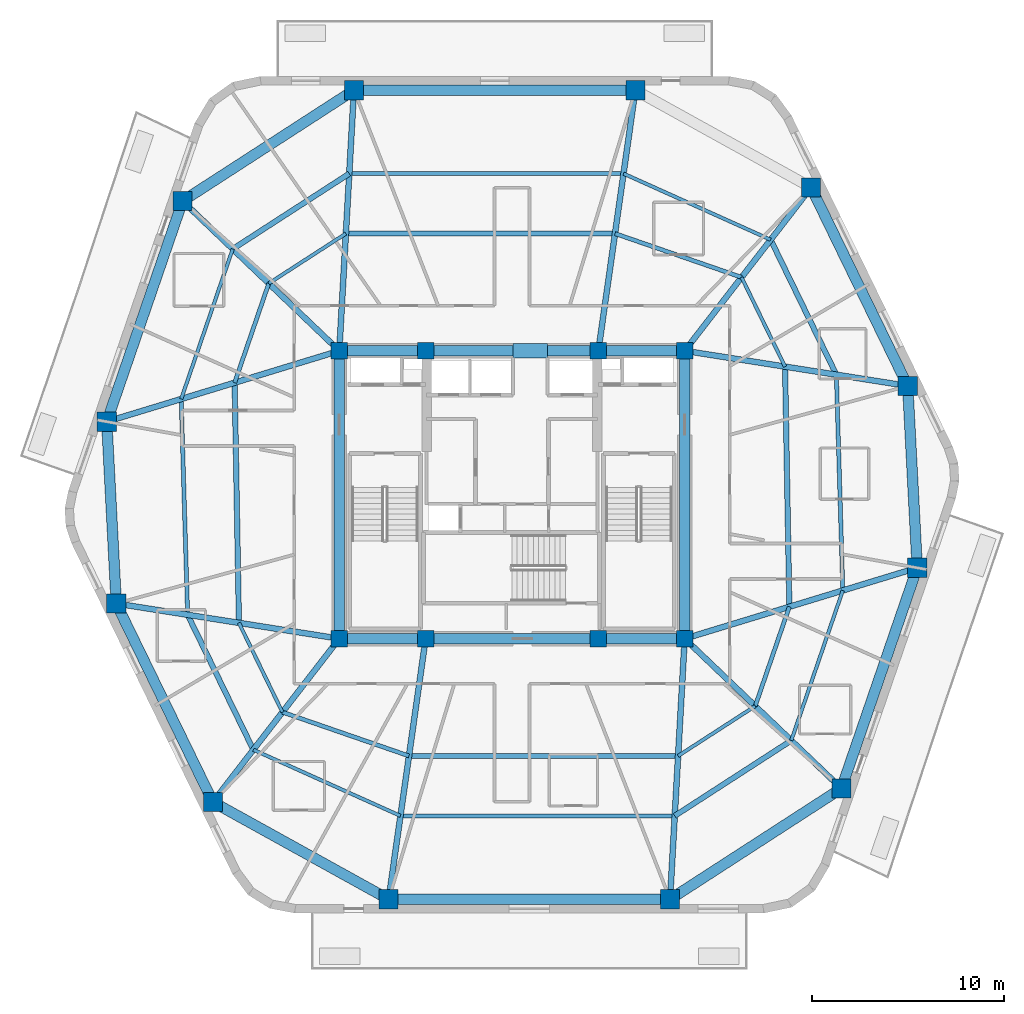
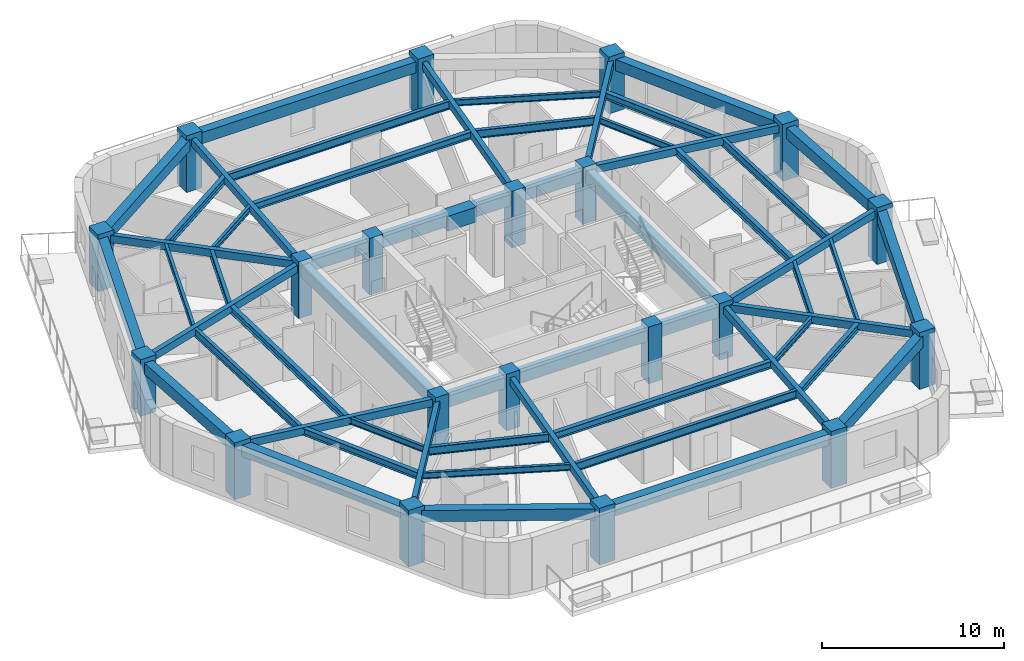
# One storey, part 1 of 9: 56 beams, 20 columns.
"""IFC4 building model written with IfcOpenShell, lengths in metres."""

from ifc_helpers import new_model, si_unit, direction, frame, origin, origin_2d, place, context, subcontext, project, spatial, rectangle, i_section, extrude, material, material_profile, profile_set, type_object, element, save


model = new_model("IFC4")

# Units and contexts
model_context = context("Model", 3, precision=1e-05, world=origin(), true_north=direction((0.0, 1.0)))
body_context = subcontext(model_context, "Body", "Model", "MODEL_VIEW")
ifc_project = project(units=[si_unit("LENGTHUNIT", "METRE"), si_unit("AREAUNIT", "SQUARE_METRE"), si_unit("VOLUMEUNIT", "CUBIC_METRE"), si_unit("PLANEANGLEUNIT", "RADIAN"), si_unit("MASSUNIT", "GRAM", prefix="KILO")], contexts=[model_context])

# Site, building, storey
site_placement = place(None, origin())
site = spatial("IfcSite", under=ifc_project, at=site_placement, CompositionType="ELEMENT")
building_placement = place(site_placement, origin())
building = spatial("IfcBuilding", under=site, at=building_placement, Name="Kilnhurst Terrace Hotel", CompositionType="ELEMENT")
storey_placement = place(building_placement, frame((0.0, 0.0, 221.699951171875)))
storey = spatial("IfcBuildingStorey", under=building, at=storey_placement, Name="L55", CompositionType="ELEMENT", Elevation=221.699951171875)

# Columns
ifc_material_1 = material(Name="Concrete C60/75", Category="concrete")
ifc_material_profile_1 = material_profile(ifc_material_1, rectangle(XDim=1.0, YDim=1.0, at=origin_2d()), Name="RC1000X1000")
ifc_profile_set_1 = profile_set([ifc_material_profile_1], Name="Concrete C60/75")
column_type_1 = type_object("IfcColumnType", Name="COL-RC-1000", PredefinedType="COLUMN", material=ifc_profile_set_1)
for number, where, z_axis, x_axis, name in (
    (1, (-6.429931640625, -21.080078125, 0.0), (0.0, 0.0, 1.0), (1.0, 0.0, 0.0), "L55 Structural Column PC-F11"),
    (2, (8.236083984375, -21.080078125, 0.0), (0.0, 0.0, 1.0), (1.0, 0.0, 0.0), "L55 Structural Column PC-F12"),
    (3, (17.166015625, -15.303955078125, 0.0), (0.0, 0.0, 1.0), (1.0, 0.0, 0.0), "L55 Structural Column PC-F21"),
    (4, (21.117919921875, -3.806884765625, 0.0), (0.0, 0.0, 1.0), (1.0, 0.0, 0.0), "L55 Structural Column PC-F22"),
    (5, (20.6220703125, 5.669921875, 0.0), (0.0, 0.0, 1.0), (1.0, 0.0, 0.0), "L55 Structural Column PC-F31"),
    (6, (15.5869140625, 16.012939453125, 0.0), (0.0, 0.0, 1.0), (1.0, 0.0, 0.0), "L55 Structural Column PC-F32"),
    (7, (6.429931640625, 21.080078125, 0.0), (0.0, 0.0, 1.0), (1.0, 0.0, 0.0), "L55 Structural Column PC-F41"),
    (8, (-8.236083984375, 21.080078125, 0.0), (0.0, 0.0, 1.0), (1.0, 0.0, 0.0), "L55 Structural Column PC-F42"),
    (9, (-17.166015625, 15.303955078125, 0.0), (0.0, 0.0, 1.0), (1.0, 0.0, 0.0), "L55 Structural Column PC-F51"),
    (10, (-21.117919921875, 3.806884765625, 0.0), (0.0, 0.0, 1.0), (1.0, 0.0, 0.0), "L55 Structural Column PC-F52"),
    (11, (-20.6220703125, -5.669921875, 0.0), (0.0, 0.0, 1.0), (1.0, 0.0, 0.0), "L55 Structural Column PC-F61"),
    (12, (-15.5869140625, -16.012939453125, 0.0), (0.0, 0.0, 1.0), (1.0, 0.0, 0.0), "L55 Structural Column PC-F62"),
):
    element("IfcColumn", number, at=place(storey_placement, frame(where, z_axis=z_axis, x_axis=x_axis)), inside=storey, type_object=column_type_1, Name=name, PredefinedType="COLUMN", context=body_context, shape_type="SweptSolid", body=[
        extrude(rectangle(XDim=1.0, YDim=1.0, at=origin_2d()), origin(), (0.0, 0.0, 1.0), 3.800048828125),
    ])
ifc_material_profile_2 = material_profile(ifc_material_1, rectangle(XDim=0.85009765625, YDim=0.85009765625, at=origin_2d()), Name="RC850X850")
ifc_profile_set_2 = profile_set([ifc_material_profile_2], Name="Concrete C60/75")
column_type_2 = type_object("IfcColumnType", Name="COL-RC-850", PredefinedType="COLUMN", material=ifc_profile_set_2)
for number, where, z_axis, x_axis, name in (
    (13, (-9.0, -7.5, 0.0), (0.0, 0.0, 1.0), (1.0, 0.0, 0.0), "L55 Structural Column CC-SW"),
    (14, (-4.5, -7.5, 0.0), (0.0, 0.0, 1.0), (1.0, 0.0, 0.0), "L55 Structural Column CC-SC1"),
    (15, (4.5, -7.5, 0.0), (0.0, 0.0, 1.0), (1.0, 0.0, 0.0), "L55 Structural Column CC-SC2"),
    (16, (9.0, -7.5, 0.0), (0.0, 0.0, 1.0), (1.0, 0.0, 0.0), "L55 Structural Column CC-SE"),
    (17, (9.0, 7.5, 0.0), (0.0, 0.0, 1.0), (1.0, 0.0, 0.0), "L55 Structural Column CC-NE"),
    (18, (4.5, 7.5, 0.0), (0.0, 0.0, 1.0), (1.0, 0.0, 0.0), "L55 Structural Column CC-NC2"),
    (19, (-4.5, 7.5, 0.0), (0.0, 0.0, 1.0), (1.0, 0.0, 0.0), "L55 Structural Column CC-NC1"),
    (20, (-9.0, 7.5, 0.0), (0.0, 0.0, 1.0), (1.0, 0.0, 0.0), "L55 Structural Column CC-NW"),
):
    element("IfcColumn", number, at=place(storey_placement, frame(where, z_axis=z_axis, x_axis=x_axis)), inside=storey, type_object=column_type_2, Name=name, PredefinedType="COLUMN", context=body_context, shape_type="SweptSolid", body=[
        extrude(rectangle(XDim=0.85009765625, YDim=0.85009765625, at=origin_2d()), origin(), (0.0, 0.0, 1.0), 3.800048828125),
    ])

# Beams
ifc_material_2 = material(Name="Concrete C50/60", Category="concrete")
ifc_material_profile_3 = material_profile(ifc_material_2, rectangle(XDim=0.300048828125, YDim=0.5, at=origin_2d()), Name="RC300X500")
ifc_profile_set_3 = profile_set([ifc_material_profile_3], Name="Concrete C50/60")
beam_type_1 = type_object("IfcBeamType", Name="BM-RAD-300X500", PredefinedType="BEAM", material=ifc_profile_set_3)
beam_1_placement = place(storey_placement, frame((-4.5, -7.5, 3.25), z_axis=(-0.140701170889, -0.990052109997, 0.0), x_axis=(0.990052109997, -0.140701170889, 0.0)))
element("IfcBeam", 21, at=beam_1_placement, inside=storey, type_object=beam_type_1, Name="L55 Radial Floor Beam 1", PredefinedType="BEAM", context=body_context, shape_type="SweptSolid", body=[
    extrude(rectangle(XDim=0.300048828125, YDim=0.5, at=origin_2d()), origin(), (0.0, 0.0, 1.0), 13.716552734375),
])
beam_2_placement = place(storey_placement, frame((9.0, -7.5, 3.25), z_axis=(-0.056163905291, -0.998421562138, 0.0), x_axis=(0.998421562138, -0.056163905291, 0.0)))
element("IfcBeam", 22, at=beam_2_placement, inside=storey, type_object=beam_type_1, Name="L55 Radial Floor Beam 2", PredefinedType="BEAM", context=body_context, shape_type="SweptSolid", body=[
    extrude(rectangle(XDim=0.300048828125, YDim=0.5, at=origin_2d()), origin(), (0.0, 0.0, 1.0), 13.6015625),
])
beam_3_placement = place(storey_placement, frame((9.0, -7.5, 3.25), z_axis=(0.722952064528, -0.690898192497, 0.0), x_axis=(0.690898192497, 0.722952064528, 0.0)))
element("IfcBeam", 23, at=beam_3_placement, inside=storey, type_object=beam_type_1, Name="L55 Radial Floor Beam 3", PredefinedType="BEAM", context=body_context, shape_type="SweptSolid", body=[
    extrude(rectangle(XDim=0.300048828125, YDim=0.5, at=origin_2d()), origin(), (0.0, 0.0, 1.0), 11.29541015625),
])
beam_4_placement = place(storey_placement, frame((9.0, -7.5, 3.25), z_axis=(0.956562713724, 0.291526627793, 0.0), x_axis=(-0.291526627793, 0.956562713724, 0.0)))
element("IfcBeam", 24, at=beam_4_placement, inside=storey, type_object=beam_type_1, Name="L55 Radial Floor Beam 4", PredefinedType="BEAM", context=body_context, shape_type="SweptSolid", body=[
    extrude(rectangle(XDim=0.300048828125, YDim=0.5, at=origin_2d()), origin(), (0.0, 0.0, 1.0), 12.668212890625),
])
beam_5_placement = place(storey_placement, frame((9.0, 7.5, 3.25), z_axis=(0.987828160163, -0.155549111179, 0.0), x_axis=(0.155549111179, 0.987828160163, 0.0)))
element("IfcBeam", 25, at=beam_5_placement, inside=storey, type_object=beam_type_1, Name="L55 Radial Floor Beam 5", PredefinedType="BEAM", context=body_context, shape_type="SweptSolid", body=[
    extrude(rectangle(XDim=0.300048828125, YDim=0.5, at=origin_2d()), origin(), (0.0, 0.0, 1.0), 11.765380859375),
])
beam_6_placement = place(storey_placement, frame((9.0, 7.5, 3.25), z_axis=(0.611955412533, 0.790892263884, 0.0), x_axis=(-0.790892263884, 0.611955412533, 0.0)))
element("IfcBeam", 26, at=beam_6_placement, inside=storey, type_object=beam_type_1, Name="L55 Radial Floor Beam 6", PredefinedType="BEAM", context=body_context, shape_type="SweptSolid", body=[
    extrude(rectangle(XDim=0.300048828125, YDim=0.5, at=origin_2d()), origin(), (0.0, 0.0, 1.0), 10.763671875),
])
beam_7_placement = place(storey_placement, frame((4.5, 7.5, 3.25), z_axis=(0.140701170889, 0.990052109997, 0.0), x_axis=(-0.990052109997, 0.140701170889, 0.0)))
element("IfcBeam", 27, at=beam_7_placement, inside=storey, type_object=beam_type_1, Name="L55 Radial Floor Beam 7", PredefinedType="BEAM", context=body_context, shape_type="SweptSolid", body=[
    extrude(rectangle(XDim=0.300048828125, YDim=0.5, at=origin_2d()), origin(), (0.0, 0.0, 1.0), 13.716552734375),
])
beam_8_placement = place(storey_placement, frame((-9.0, 7.5, 3.25), z_axis=(0.056163905291, 0.998421562138, 0.0), x_axis=(-0.998421562138, 0.056163905291, 0.0)))
element("IfcBeam", 28, at=beam_8_placement, inside=storey, type_object=beam_type_1, Name="L55 Radial Floor Beam 8", PredefinedType="BEAM", context=body_context, shape_type="SweptSolid", body=[
    extrude(rectangle(XDim=0.300048828125, YDim=0.5, at=origin_2d()), origin(), (0.0, 0.0, 1.0), 13.6015625),
])
beam_9_placement = place(storey_placement, frame((-9.0, 7.5, 3.25), z_axis=(-0.722952064528, 0.690898192497, 0.0), x_axis=(-0.690898192497, -0.722952064528, 0.0)))
element("IfcBeam", 29, at=beam_9_placement, inside=storey, type_object=beam_type_1, Name="L55 Radial Floor Beam 9", PredefinedType="BEAM", context=body_context, shape_type="SweptSolid", body=[
    extrude(rectangle(XDim=0.300048828125, YDim=0.5, at=origin_2d()), origin(), (0.0, 0.0, 1.0), 11.29541015625),
])
beam_10_placement = place(storey_placement, frame((-9.0, 7.5, 3.25), z_axis=(-0.956562713724, -0.291526627793, 0.0), x_axis=(0.291526627793, -0.956562713724, 0.0)))
element("IfcBeam", 30, at=beam_10_placement, inside=storey, type_object=beam_type_1, Name="L55 Radial Floor Beam 10", PredefinedType="BEAM", context=body_context, shape_type="SweptSolid", body=[
    extrude(rectangle(XDim=0.300048828125, YDim=0.5, at=origin_2d()), origin(), (0.0, 0.0, 1.0), 12.668212890625),
])
beam_11_placement = place(storey_placement, frame((-9.0, -7.5, 3.25), z_axis=(-0.987828160163, 0.155549111179, 0.0), x_axis=(-0.155549111179, -0.987828160163, 0.0)))
element("IfcBeam", 31, at=beam_11_placement, inside=storey, type_object=beam_type_1, Name="L55 Radial Floor Beam 11", PredefinedType="BEAM", context=body_context, shape_type="SweptSolid", body=[
    extrude(rectangle(XDim=0.300048828125, YDim=0.5, at=origin_2d()), origin(), (0.0, 0.0, 1.0), 11.765380859375),
])
beam_12_placement = place(storey_placement, frame((-9.0, -7.5, 3.25), z_axis=(-0.611955412533, -0.790892263884, 0.0), x_axis=(0.790892263884, -0.611955412533, 0.0)))
element("IfcBeam", 32, at=beam_12_placement, inside=storey, type_object=beam_type_1, Name="L55 Radial Floor Beam 12", PredefinedType="BEAM", context=body_context, shape_type="SweptSolid", body=[
    extrude(rectangle(XDim=0.300048828125, YDim=0.5, at=origin_2d()), origin(), (0.0, 0.0, 1.0), 10.763671875),
])
ifc_material_profile_4 = material_profile(ifc_material_2, rectangle(XDim=0.550048828125, YDim=0.75, at=origin_2d()), Name="RC550X750")
ifc_profile_set_4 = profile_set([ifc_material_profile_4], Name="Concrete C50/60")
beam_type_2 = type_object("IfcBeamType", Name="BM-SPN-550X750", PredefinedType="SPANDREL", material=ifc_profile_set_4)
beam_13_placement = place(storey_placement, frame((-9.0, 7.5, 3.125), z_axis=(1.0, 0.0, 0.0), x_axis=(0.0, 1.0, 0.0)))
element("IfcBeam", 33, at=beam_13_placement, inside=storey, type_object=beam_type_2, Name="L55 Core Tie Beam CC-NW to CC-NC1", PredefinedType="SPANDREL", context=body_context, shape_type="SweptSolid", body=[
    extrude(rectangle(XDim=0.550048828125, YDim=0.75, at=origin_2d()), origin(), (0.0, 0.0, 1.0), 4.5),
])
beam_14_placement = place(storey_placement, frame((-4.5, 7.5, 3.125), z_axis=(1.0, 0.0, 0.0), x_axis=(0.0, 1.0, 0.0)))
element("IfcBeam", 34, at=beam_14_placement, inside=storey, type_object=beam_type_2, Name="L55 Core Tie Beam CC-NC1 to CC-NC2", PredefinedType="SPANDREL", context=body_context, shape_type="SweptSolid", body=[
    extrude(rectangle(XDim=0.550048828125, YDim=0.75, at=origin_2d()), origin(), (0.0, 0.0, 1.0), 9.0),
])
for number, where, z_axis, x_axis, name in (
    (35, (4.5, 7.5, 3.125), (1.0, 0.0, 0.0), (0.0, 1.0, 0.0), "L55 Core Tie Beam CC-NC2 to CC-NE"),
    (36, (-9.0, -7.5, 3.125), (1.0, 0.0, 0.0), (0.0, 1.0, 0.0), "L55 Core Tie Beam CC-SW to CC-SC1"),
):
    element("IfcBeam", number, at=place(storey_placement, frame(where, z_axis=z_axis, x_axis=x_axis)), inside=storey, type_object=beam_type_2, Name=name, PredefinedType="SPANDREL", context=body_context, shape_type="SweptSolid", body=[
        extrude(rectangle(XDim=0.550048828125, YDim=0.75, at=origin_2d()), origin(), (0.0, 0.0, 1.0), 4.5),
    ])
beam_15_placement = place(storey_placement, frame((-4.5, -7.5, 3.125), z_axis=(1.0, 0.0, 0.0), x_axis=(0.0, 1.0, 0.0)))
element("IfcBeam", 37, at=beam_15_placement, inside=storey, type_object=beam_type_2, Name="L55 Core Tie Beam CC-SC1 to CC-SC2", PredefinedType="SPANDREL", context=body_context, shape_type="SweptSolid", body=[
    extrude(rectangle(XDim=0.550048828125, YDim=0.75, at=origin_2d()), origin(), (0.0, 0.0, 1.0), 9.0),
])
beam_16_placement = place(storey_placement, frame((4.5, -7.5, 3.125), z_axis=(1.0, 0.0, 0.0), x_axis=(0.0, 1.0, 0.0)))
element("IfcBeam", 38, at=beam_16_placement, inside=storey, type_object=beam_type_2, Name="L55 Core Tie Beam CC-SC2 to CC-SE", PredefinedType="SPANDREL", context=body_context, shape_type="SweptSolid", body=[
    extrude(rectangle(XDim=0.550048828125, YDim=0.75, at=origin_2d()), origin(), (0.0, 0.0, 1.0), 4.5),
])
for number, where, z_axis, x_axis, name in (
    (39, (-9.0, -7.5, 3.125), (0.0, 1.0, 0.0), (-1.0, 0.0, 0.0), "L55 Core Tie Beam CC-SW to CC-NW"),
    (40, (9.0, -7.5, 3.125), (0.0, 1.0, 0.0), (-1.0, 0.0, 0.0), "L55 Core Tie Beam CC-SE to CC-NE"),
):
    element("IfcBeam", number, at=place(storey_placement, frame(where, z_axis=z_axis, x_axis=x_axis)), inside=storey, type_object=beam_type_2, Name=name, PredefinedType="SPANDREL", context=body_context, shape_type="SweptSolid", body=[
        extrude(rectangle(XDim=0.550048828125, YDim=0.75, at=origin_2d()), origin(), (0.0, 0.0, 1.0), 15.0),
    ])
beam_17_placement = place(storey_placement, frame((-6.429931640625, -21.080078125, 3.125), z_axis=(1.0, 0.0, 0.0), x_axis=(0.0, 1.0, 0.0)))
element("IfcBeam", 41, at=beam_17_placement, inside=storey, type_object=beam_type_2, Name="L55 Perimeter Spandrel Beam 1", PredefinedType="SPANDREL", context=body_context, shape_type="SweptSolid", body=[
    extrude(rectangle(XDim=0.550048828125, YDim=0.75, at=origin_2d()), origin(), (0.0, 0.0, 1.0), 14.666015625),
])
beam_18_placement = place(storey_placement, frame((8.236083984375, -21.080078125, 3.125), z_axis=(0.839658834217, 0.543114207254, 0.0), x_axis=(-0.543114207254, 0.839658834217, 0.0)))
element("IfcBeam", 42, at=beam_18_placement, inside=storey, type_object=beam_type_2, Name="L55 Perimeter Spandrel Beam 2", PredefinedType="SPANDREL", context=body_context, shape_type="SweptSolid", body=[
    extrude(rectangle(XDim=0.550048828125, YDim=0.75, at=origin_2d()), origin(), (0.0, 0.0, 1.0), 10.63525390625),
])
beam_19_placement = place(storey_placement, frame((17.166015625, -15.303955078125, 3.125), z_axis=(0.325064053802, 0.94569200109, 0.0), x_axis=(-0.94569200109, 0.325064053802, 0.0)))
element("IfcBeam", 43, at=beam_19_placement, inside=storey, type_object=beam_type_2, Name="L55 Perimeter Spandrel Beam 3", PredefinedType="SPANDREL", context=body_context, shape_type="SweptSolid", body=[
    extrude(rectangle(XDim=0.550048828125, YDim=0.75, at=origin_2d()), origin(), (0.0, 0.0, 1.0), 12.1572265625),
])
beam_20_placement = place(storey_placement, frame((21.117919921875, -3.806884765625, 3.125), z_axis=(-0.052250962837, 0.998633985443, 0.0), x_axis=(-0.998633985443, -0.052250962837, 0.0)))
element("IfcBeam", 44, at=beam_20_placement, inside=storey, type_object=beam_type_2, Name="L55 Perimeter Spandrel Beam 4", PredefinedType="SPANDREL", context=body_context, shape_type="SweptSolid", body=[
    extrude(rectangle(XDim=0.550048828125, YDim=0.75, at=origin_2d()), origin(), (0.0, 0.0, 1.0), 9.48974609375),
])
beam_21_placement = place(storey_placement, frame((20.6220703125, 5.669921875, 3.125), z_axis=(-0.437705964683, 0.899118172701, 0.0), x_axis=(-0.899118172701, -0.437705964683, 0.0)))
element("IfcBeam", 45, at=beam_21_placement, inside=storey, type_object=beam_type_2, Name="L55 Perimeter Spandrel Beam 5", PredefinedType="SPANDREL", context=body_context, shape_type="SweptSolid", body=[
    extrude(rectangle(XDim=0.550048828125, YDim=0.75, at=origin_2d()), origin(), (0.0, 0.0, 1.0), 11.50341796875),
])
beam_22_placement = place(storey_placement, frame((6.429931640625, 21.080078125, 3.125), z_axis=(-1.0, 0.0, 0.0), x_axis=(0.0, -1.0, 0.0)))
element("IfcBeam", 46, at=beam_22_placement, inside=storey, type_object=beam_type_2, Name="L55 Perimeter Spandrel Beam 7", PredefinedType="SPANDREL", context=body_context, shape_type="SweptSolid", body=[
    extrude(rectangle(XDim=0.550048828125, YDim=0.75, at=origin_2d()), origin(), (0.0, 0.0, 1.0), 14.666015625),
])
beam_23_placement = place(storey_placement, frame((-8.236083984375, 21.080078125, 3.125), z_axis=(-0.839658834217, -0.543114207254, 0.0), x_axis=(0.543114207254, -0.839658834217, 0.0)))
element("IfcBeam", 47, at=beam_23_placement, inside=storey, type_object=beam_type_2, Name="L55 Perimeter Spandrel Beam 8", PredefinedType="SPANDREL", context=body_context, shape_type="SweptSolid", body=[
    extrude(rectangle(XDim=0.550048828125, YDim=0.75, at=origin_2d()), origin(), (0.0, 0.0, 1.0), 10.63525390625),
])
beam_24_placement = place(storey_placement, frame((-17.166015625, 15.303955078125, 3.125), z_axis=(-0.325064053802, -0.94569200109, 0.0), x_axis=(0.94569200109, -0.325064053802, 0.0)))
element("IfcBeam", 48, at=beam_24_placement, inside=storey, type_object=beam_type_2, Name="L55 Perimeter Spandrel Beam 9", PredefinedType="SPANDREL", context=body_context, shape_type="SweptSolid", body=[
    extrude(rectangle(XDim=0.550048828125, YDim=0.75, at=origin_2d()), origin(), (0.0, 0.0, 1.0), 12.1572265625),
])
beam_25_placement = place(storey_placement, frame((-21.117919921875, 3.806884765625, 3.125), z_axis=(0.052250962837, -0.998633985443, 0.0), x_axis=(0.998633985443, 0.052250962837, 0.0)))
element("IfcBeam", 49, at=beam_25_placement, inside=storey, type_object=beam_type_2, Name="L55 Perimeter Spandrel Beam 10", PredefinedType="SPANDREL", context=body_context, shape_type="SweptSolid", body=[
    extrude(rectangle(XDim=0.550048828125, YDim=0.75, at=origin_2d()), origin(), (0.0, 0.0, 1.0), 9.48974609375),
])
beam_26_placement = place(storey_placement, frame((-20.6220703125, -5.669921875, 3.125), z_axis=(0.437705964683, -0.899118172701, 0.0), x_axis=(0.899118172701, 0.437705964683, 0.0)))
element("IfcBeam", 50, at=beam_26_placement, inside=storey, type_object=beam_type_2, Name="L55 Perimeter Spandrel Beam 11", PredefinedType="SPANDREL", context=body_context, shape_type="SweptSolid", body=[
    extrude(rectangle(XDim=0.550048828125, YDim=0.75, at=origin_2d()), origin(), (0.0, 0.0, 1.0), 11.50341796875),
])
beam_27_placement = place(storey_placement, frame((-15.5869140625, -16.012939453125, 3.125), z_axis=(0.874970333121, -0.484176534085, 0.0), x_axis=(0.484176534085, 0.874970333121, 0.0)))
element("IfcBeam", 51, at=beam_27_placement, inside=storey, type_object=beam_type_2, Name="L55 Perimeter Spandrel Beam 12", PredefinedType="SPANDREL", context=body_context, shape_type="SweptSolid", body=[
    extrude(rectangle(XDim=0.550048828125, YDim=0.75, at=origin_2d()), origin(), (0.0, 0.0, 1.0), 10.465576171875),
])
ifc_material_3 = material(Name="Steel ASTM A992 Grade 50", Category="steel")
ifc_material_profile_5 = material_profile(ifc_material_3, i_section(OverallWidth=0.180908203125, OverallDepth=0.417236328125, WebThickness=0.010986328125, FlangeThickness=0.018310546875, at=origin_2d()), Name="W16X57")
ifc_profile_set_5 = profile_set([ifc_material_profile_5], Name="Steel ASTM A992 Grade 50")
beam_type_3 = type_object("IfcBeamType", Name="JST-STL-W16X57", PredefinedType="JOIST", material=ifc_profile_set_5)
beam_28_placement = place(storey_placement, frame((14.552978515625, -12.806640625, 3.291015625), z_axis=(0.325064911916, 0.945691706129, 0.0), x_axis=(-0.945691706129, 0.325064911916, 0.0)))
element("IfcBeam", 52, at=beam_28_placement, inside=storey, type_object=beam_type_3, Name="L55 Secondary Floor Steel Joist OUT.3", PredefinedType="JOIST", context=body_context, shape_type="SweptSolid", body=[
    extrude(i_section(OverallWidth=0.180908203125, OverallDepth=0.417236328125, WebThickness=0.010986328125, FlangeThickness=0.018310546875, at=origin_2d()), origin(), (0.0, 0.0, 1.0), 8.266845703125),
])
beam_29_placement = place(storey_placement, frame((13.479248046875, 13.288818359375, 3.291015625), z_axis=(-0.912120852375, 0.409921395713, 0.0), x_axis=(-0.409921395713, -0.912120852375, 0.0)))
element("IfcBeam", 53, at=beam_29_placement, inside=storey, type_object=beam_type_3, Name="L55 Secondary Floor Steel Joist OUT.6", PredefinedType="JOIST", context=body_context, shape_type="SweptSolid", body=[
    extrude(i_section(OverallWidth=0.180908203125, OverallDepth=0.417236328125, WebThickness=0.010986328125, FlangeThickness=0.018310546875, at=origin_2d()), origin(), (0.0, 0.0, 1.0), 8.405517578125),
])
beam_30_placement = place(storey_placement, frame((-14.552978515625, 12.806640625, 3.291015625), z_axis=(-0.325064911916, -0.945691706129, 0.0), x_axis=(0.945691706129, -0.325064911916, 0.0)))
element("IfcBeam", 54, at=beam_30_placement, inside=storey, type_object=beam_type_3, Name="L55 Secondary Floor Steel Joist OUT.9", PredefinedType="JOIST", context=body_context, shape_type="SweptSolid", body=[
    extrude(i_section(OverallWidth=0.180908203125, OverallDepth=0.417236328125, WebThickness=0.010986328125, FlangeThickness=0.018310546875, at=origin_2d()), origin(), (0.0, 0.0, 1.0), 8.266845703125),
])
beam_31_placement = place(storey_placement, frame((-13.479248046875, -13.288818359375, 3.291015625), z_axis=(0.912120852375, -0.409921395713, 0.0), x_axis=(0.409921395713, 0.912120852375, 0.0)))
element("IfcBeam", 55, at=beam_31_placement, inside=storey, type_object=beam_type_3, Name="L55 Secondary Floor Steel Joist OUT.12", PredefinedType="JOIST", context=body_context, shape_type="SweptSolid", body=[
    extrude(i_section(OverallWidth=0.180908203125, OverallDepth=0.417236328125, WebThickness=0.010986328125, FlangeThickness=0.018310546875, at=origin_2d()), origin(), (0.0, 0.0, 1.0), 8.405517578125),
])
beam_32_placement = place(storey_placement, frame((8.65625, -13.611083984375, 3.291015625), z_axis=(0.839653632344, 0.543122249306, 0.0), x_axis=(-0.543122249306, 0.839653632344, 0.0)))
element("IfcBeam", 56, at=beam_32_placement, inside=storey, type_object=beam_type_3, Name="L55 Secondary Floor Steel Joist IN.2", PredefinedType="JOIST", context=body_context, shape_type="SweptSolid", body=[
    extrude(i_section(OverallWidth=0.180908203125, OverallDepth=0.417236328125, WebThickness=0.010986328125, FlangeThickness=0.018310546875, at=origin_2d()), origin(), (0.0, 0.0, 1.0), 4.785888671875),
])
beam_33_placement = place(storey_placement, frame((14.22998046875, 6.676513671875, 3.291015625), z_axis=(-0.437718230281, 0.899112201496, 0.0), x_axis=(-0.899112201496, -0.437718230281, 0.0)))
element("IfcBeam", 57, at=beam_33_placement, inside=storey, type_object=beam_type_3, Name="L55 Secondary Floor Steel Joist IN.5", PredefinedType="JOIST", context=body_context, shape_type="SweptSolid", body=[
    extrude(i_section(OverallWidth=0.180908203125, OverallDepth=0.417236328125, WebThickness=0.010986328125, FlangeThickness=0.018310546875, at=origin_2d()), origin(), (0.0, 0.0, 1.0), 5.176513671875),
])
beam_34_placement = place(storey_placement, frame((-8.65625, 13.611083984375, 3.291015625), z_axis=(-0.839653632344, -0.543122249306, 0.0), x_axis=(0.543122249306, -0.839653632344, 0.0)))
element("IfcBeam", 58, at=beam_34_placement, inside=storey, type_object=beam_type_3, Name="L55 Secondary Floor Steel Joist IN.8", PredefinedType="JOIST", context=body_context, shape_type="SweptSolid", body=[
    extrude(i_section(OverallWidth=0.180908203125, OverallDepth=0.417236328125, WebThickness=0.010986328125, FlangeThickness=0.018310546875, at=origin_2d()), origin(), (0.0, 0.0, 1.0), 4.785888671875),
])
beam_35_placement = place(storey_placement, frame((-14.22998046875, -6.676513671875, 3.291015625), z_axis=(0.437718230281, -0.899112201496, 0.0), x_axis=(0.899112201496, 0.437718230281, 0.0)))
element("IfcBeam", 59, at=beam_35_placement, inside=storey, type_object=beam_type_3, Name="L55 Secondary Floor Steel Joist IN.11", PredefinedType="JOIST", context=body_context, shape_type="SweptSolid", body=[
    extrude(i_section(OverallWidth=0.180908203125, OverallDepth=0.417236328125, WebThickness=0.010986328125, FlangeThickness=0.018310546875, at=origin_2d()), origin(), (0.0, 0.0, 1.0), 5.176513671875),
])
ifc_material_profile_6 = material_profile(ifc_material_3, i_section(OverallWidth=0.279296875, OverallDepth=0.462890625, WebThickness=0.0107421875, FlangeThickness=0.017333984375, at=origin_2d()), Name="W18X76")
ifc_profile_set_6 = profile_set([ifc_material_profile_6], Name="Steel ASTM A992 Grade 50")
beam_type_4 = type_object("IfcBeamType", Name="JST-STL-W18X76", PredefinedType="JOIST", material=ifc_profile_set_6)
beam_36_placement = place(storey_placement, frame((8.48046875, -16.734375, 3.26806640625), z_axis=(0.839667054453, 0.543101498494, 0.0), x_axis=(-0.543101498494, 0.839667054453, 0.0)))
element("IfcBeam", 60, at=beam_36_placement, inside=storey, type_object=beam_type_4, Name="L55 Secondary Floor Steel Joist OUT.2", PredefinedType="JOIST", context=body_context, shape_type="SweptSolid", body=[
    extrude(i_section(OverallWidth=0.279296875, OverallDepth=0.462890625, WebThickness=0.0107421875, FlangeThickness=0.017333984375, at=origin_2d()), origin(), (0.0, 0.0, 1.0), 7.23193359375),
])
beam_37_placement = place(storey_placement, frame((16.903076171875, 6.255615234375, 3.26806640625), z_axis=(-0.437700347277, 0.899120907328, 0.0), x_axis=(-0.899120907328, -0.437700347277, 0.0)))
element("IfcBeam", 61, at=beam_37_placement, inside=storey, type_object=beam_type_4, Name="L55 Secondary Floor Steel Joist OUT.5", PredefinedType="JOIST", context=body_context, shape_type="SweptSolid", body=[
    extrude(i_section(OverallWidth=0.279296875, OverallDepth=0.462890625, WebThickness=0.0107421875, FlangeThickness=0.017333984375, at=origin_2d()), origin(), (0.0, 0.0, 1.0), 7.822265625),
])
beam_38_placement = place(storey_placement, frame((-8.48046875, 16.734375, 3.26806640625), z_axis=(-0.839667054453, -0.543101498494, 0.0), x_axis=(0.543101498494, -0.839667054453, 0.0)))
element("IfcBeam", 62, at=beam_38_placement, inside=storey, type_object=beam_type_4, Name="L55 Secondary Floor Steel Joist OUT.8", PredefinedType="JOIST", context=body_context, shape_type="SweptSolid", body=[
    extrude(i_section(OverallWidth=0.279296875, OverallDepth=0.462890625, WebThickness=0.0107421875, FlangeThickness=0.017333984375, at=origin_2d()), origin(), (0.0, 0.0, 1.0), 7.23193359375),
])
beam_39_placement = place(storey_placement, frame((-16.903076171875, -6.255615234375, 3.26806640625), z_axis=(0.437700347277, -0.899120907328, 0.0), x_axis=(0.899120907328, 0.437700347277, 0.0)))
element("IfcBeam", 63, at=beam_39_placement, inside=storey, type_object=beam_type_4, Name="L55 Secondary Floor Steel Joist OUT.11", PredefinedType="JOIST", context=body_context, shape_type="SweptSolid", body=[
    extrude(i_section(OverallWidth=0.279296875, OverallDepth=0.462890625, WebThickness=0.0107421875, FlangeThickness=0.017333984375, at=origin_2d()), origin(), (0.0, 0.0, 1.0), 7.822265625),
])
beam_40_placement = place(storey_placement, frame((-5.368408203125, -13.611083984375, 3.26806640625), z_axis=(1.0, 0.0, 0.0), x_axis=(0.0, 1.0, 0.0)))
element("IfcBeam", 64, at=beam_40_placement, inside=storey, type_object=beam_type_4, Name="L55 Secondary Floor Steel Joist IN.1", PredefinedType="JOIST", context=body_context, shape_type="SweptSolid", body=[
    extrude(i_section(OverallWidth=0.279296875, OverallDepth=0.462890625, WebThickness=0.0107421875, FlangeThickness=0.017333984375, at=origin_2d()), origin(), (0.0, 0.0, 1.0), 14.024658203125),
])
beam_41_placement = place(storey_placement, frame((14.453125, -5.838134765625, 3.26806640625), z_axis=(-0.017827833387, 0.999841071549, 0.0), x_axis=(-0.999841071549, -0.017827833387, 0.0)))
element("IfcBeam", 65, at=beam_41_placement, inside=storey, type_object=beam_type_4, Name="L55 Secondary Floor Steel Joist IN.4", PredefinedType="JOIST", context=body_context, shape_type="SweptSolid", body=[
    extrude(i_section(OverallWidth=0.279296875, OverallDepth=0.462890625, WebThickness=0.0107421875, FlangeThickness=0.017333984375, at=origin_2d()), origin(), (0.0, 0.0, 1.0), 12.5166015625),
])
beam_42_placement = place(storey_placement, frame((5.368408203125, 13.611083984375, 3.26806640625), z_axis=(-1.0, 0.0, 0.0), x_axis=(0.0, -1.0, 0.0)))
element("IfcBeam", 66, at=beam_42_placement, inside=storey, type_object=beam_type_4, Name="L55 Secondary Floor Steel Joist IN.7", PredefinedType="JOIST", context=body_context, shape_type="SweptSolid", body=[
    extrude(i_section(OverallWidth=0.279296875, OverallDepth=0.462890625, WebThickness=0.0107421875, FlangeThickness=0.017333984375, at=origin_2d()), origin(), (0.0, 0.0, 1.0), 14.024658203125),
])
beam_43_placement = place(storey_placement, frame((-14.453125, 5.838134765625, 3.26806640625), z_axis=(0.017827833387, -0.999841071549, 0.0), x_axis=(0.999841071549, 0.017827833387, 0.0)))
element("IfcBeam", 67, at=beam_43_placement, inside=storey, type_object=beam_type_4, Name="L55 Secondary Floor Steel Joist IN.10", PredefinedType="JOIST", context=body_context, shape_type="SweptSolid", body=[
    extrude(i_section(OverallWidth=0.279296875, OverallDepth=0.462890625, WebThickness=0.0107421875, FlangeThickness=0.017333984375, at=origin_2d()), origin(), (0.0, 0.0, 1.0), 12.5166015625),
])
ifc_material_profile_7 = material_profile(ifc_material_3, i_section(OverallWidth=0.2138671875, OverallDepth=0.549072265625, WebThickness=0.0146484375, FlangeThickness=0.023681640625, at=origin_2d()), Name="W21X93")
ifc_profile_set_7 = profile_set([ifc_material_profile_7], Name="Steel ASTM A992 Grade 50")
beam_type_5 = type_object("IfcBeamType", Name="JST-STL-W21X93", PredefinedType="JOIST", material=ifc_profile_set_7)
beam_44_placement = place(storey_placement, frame((-5.8125, -16.734375, 3.22509765625), z_axis=(1.0, 0.0, 0.0), x_axis=(0.0, 1.0, 0.0)))
element("IfcBeam", 68, at=beam_44_placement, inside=storey, type_object=beam_type_5, Name="L55 Secondary Floor Steel Joist OUT.1", PredefinedType="JOIST", context=body_context, shape_type="SweptSolid", body=[
    extrude(i_section(OverallWidth=0.2138671875, OverallDepth=0.549072265625, WebThickness=0.0146484375, FlangeThickness=0.023681640625, at=origin_2d()), origin(), (0.0, 0.0, 1.0), 14.29296875),
])
beam_45_placement = place(storey_placement, frame((17.240234375, -4.98876953125, 3.22509765625), z_axis=(-0.029971114202, 0.999550765251, 0.0), x_axis=(-0.999550765251, -0.029971114202, 0.0)))
element("IfcBeam", 69, at=beam_45_placement, inside=storey, type_object=beam_type_5, Name="L55 Secondary Floor Steel Joist OUT.4", PredefinedType="JOIST", context=body_context, shape_type="SweptSolid", body=[
    extrude(i_section(OverallWidth=0.2138671875, OverallDepth=0.549072265625, WebThickness=0.0146484375, FlangeThickness=0.023681640625, at=origin_2d()), origin(), (0.0, 0.0, 1.0), 11.24951171875),
])
beam_46_placement = place(storey_placement, frame((5.8125, 16.734375, 3.22509765625), z_axis=(-1.0, 0.0, 0.0), x_axis=(0.0, -1.0, 0.0)))
element("IfcBeam", 70, at=beam_46_placement, inside=storey, type_object=beam_type_5, Name="L55 Secondary Floor Steel Joist OUT.7", PredefinedType="JOIST", context=body_context, shape_type="SweptSolid", body=[
    extrude(i_section(OverallWidth=0.2138671875, OverallDepth=0.549072265625, WebThickness=0.0146484375, FlangeThickness=0.023681640625, at=origin_2d()), origin(), (0.0, 0.0, 1.0), 14.29296875),
])
beam_47_placement = place(storey_placement, frame((-17.240234375, 4.98876953125, 3.22509765625), z_axis=(0.029971114202, -0.999550765251, 0.0), x_axis=(0.999550765251, 0.029971114202, 0.0)))
element("IfcBeam", 71, at=beam_47_placement, inside=storey, type_object=beam_type_5, Name="L55 Secondary Floor Steel Joist OUT.10", PredefinedType="JOIST", context=body_context, shape_type="SweptSolid", body=[
    extrude(i_section(OverallWidth=0.2138671875, OverallDepth=0.549072265625, WebThickness=0.0146484375, FlangeThickness=0.023681640625, at=origin_2d()), origin(), (0.0, 0.0, 1.0), 11.24951171875),
])
beam_48_placement = place(storey_placement, frame((12.6748046875, -11.01171875, 3.22509765625), z_axis=(0.325063554612, 0.945692172677, 0.0), x_axis=(-0.945692172677, 0.325063554612, 0.0)))
element("IfcBeam", 72, at=beam_48_placement, inside=storey, type_object=beam_type_5, Name="L55 Secondary Floor Steel Joist IN.3", PredefinedType="JOIST", context=body_context, shape_type="SweptSolid", body=[
    extrude(i_section(OverallWidth=0.2138671875, OverallDepth=0.549072265625, WebThickness=0.0146484375, FlangeThickness=0.023681640625, at=origin_2d()), origin(), (0.0, 0.0, 1.0), 5.470703125),
])
beam_49_placement = place(storey_placement, frame((11.964111328125, 11.330810546875, 3.22509765625), z_axis=(-0.94511244231, 0.326745269884, 0.0), x_axis=(-0.326745269884, -0.94511244231, 0.0)))
element("IfcBeam", 73, at=beam_49_placement, inside=storey, type_object=beam_type_5, Name="L55 Secondary Floor Steel Joist IN.6", PredefinedType="JOIST", context=body_context, shape_type="SweptSolid", body=[
    extrude(i_section(OverallWidth=0.2138671875, OverallDepth=0.549072265625, WebThickness=0.0146484375, FlangeThickness=0.023681640625, at=origin_2d()), origin(), (0.0, 0.0, 1.0), 6.978759765625),
])
beam_50_placement = place(storey_placement, frame((-12.6748046875, 11.01171875, 3.22509765625), z_axis=(-0.325063554612, -0.945692172677, 0.0), x_axis=(0.945692172677, -0.325063554612, 0.0)))
element("IfcBeam", 74, at=beam_50_placement, inside=storey, type_object=beam_type_5, Name="L55 Secondary Floor Steel Joist IN.9", PredefinedType="JOIST", context=body_context, shape_type="SweptSolid", body=[
    extrude(i_section(OverallWidth=0.2138671875, OverallDepth=0.549072265625, WebThickness=0.0146484375, FlangeThickness=0.023681640625, at=origin_2d()), origin(), (0.0, 0.0, 1.0), 5.470703125),
])
beam_51_placement = place(storey_placement, frame((-11.964111328125, -11.330810546875, 3.22509765625), z_axis=(0.94511244231, -0.326745269884, 0.0), x_axis=(0.326745269884, 0.94511244231, 0.0)))
element("IfcBeam", 75, at=beam_51_placement, inside=storey, type_object=beam_type_5, Name="L55 Secondary Floor Steel Joist IN.12", PredefinedType="JOIST", context=body_context, shape_type="SweptSolid", body=[
    extrude(i_section(OverallWidth=0.2138671875, OverallDepth=0.549072265625, WebThickness=0.0146484375, FlangeThickness=0.023681640625, at=origin_2d()), origin(), (0.0, 0.0, 1.0), 6.978759765625),
])
ifc_material_profile_8 = material_profile(ifc_material_1, rectangle(XDim=0.75, YDim=1.0, at=origin_2d()), Name="RC750X1000")
ifc_profile_set_8 = profile_set([ifc_material_profile_8], Name="Concrete C60/75")
beam_type_6 = type_object("IfcBeamType", Name="LNT-CB-750X1000", PredefinedType="LINTEL", material=ifc_profile_set_8)
beam_52_placement = place(storey_placement, frame((0.050048828125, 7.5, 3.0), z_axis=(1.0, 0.0, 0.0), x_axis=(0.0, 1.0, 0.0)))
element("IfcBeam", 76, at=beam_52_placement, inside=storey, type_object=beam_type_6, Name="L55 North Core Coupling Link Beam", PredefinedType="LINTEL", context=body_context, shape_type="SweptSolid", body=[
    extrude(rectangle(XDim=0.75, YDim=1.0, at=origin_2d()), origin(), (0.0, 0.0, 1.0), 1.800048828125),
])

save(model, "model.ifc")
